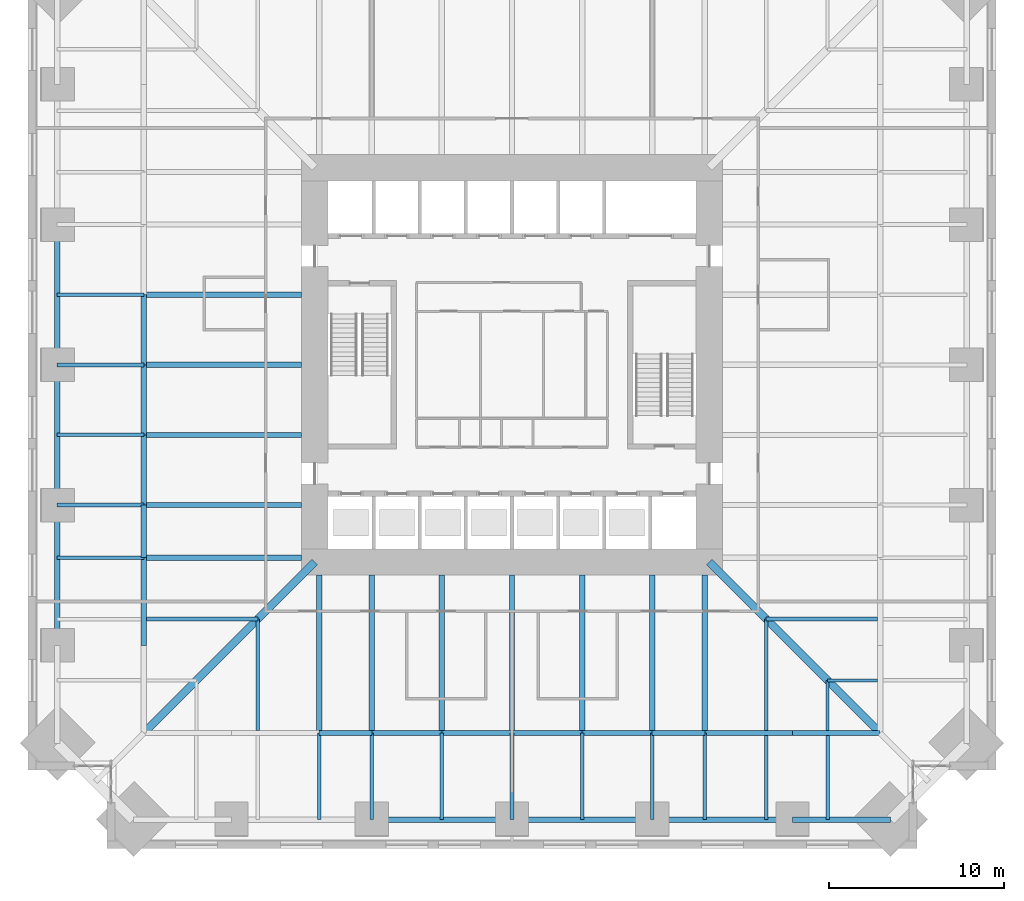
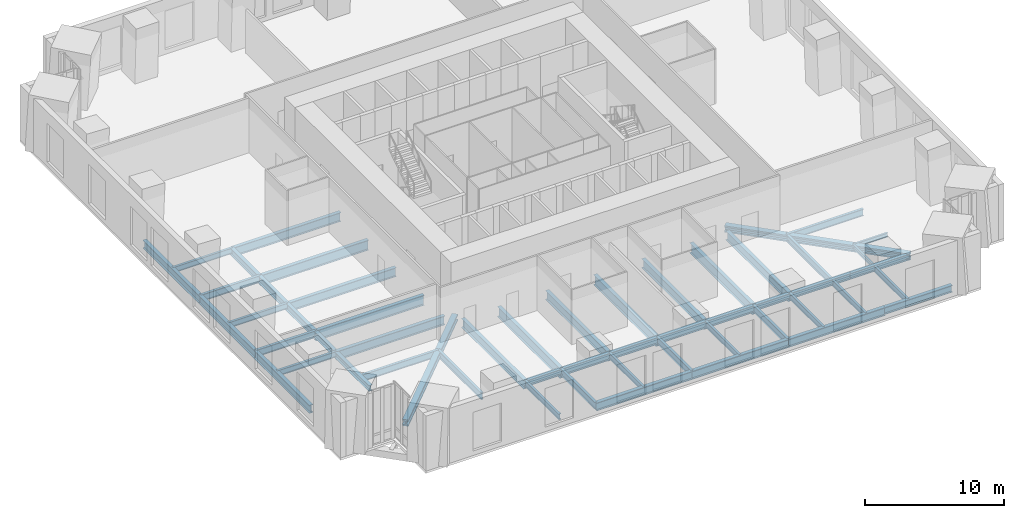
# One storey, part 3 of 18: 54 beams.
"""IFC4 building model written with IfcOpenShell, lengths in metres."""

from ifc_helpers import new_model, si_unit, direction, frame, origin, origin_2d, place, context, subcontext, project, spatial, i_section, extrude, material, material_profile, profile_set, type_object, element, save


model = new_model("IFC4")

# Units and contexts
model_context = context("Model", 3, precision=1e-05, world=origin(), true_north=direction((0.0, 1.0)))
body_context = subcontext(model_context, "Body", "Model", "MODEL_VIEW")
ifc_project = project(units=[si_unit("LENGTHUNIT", "METRE"), si_unit("AREAUNIT", "SQUARE_METRE"), si_unit("VOLUMEUNIT", "CUBIC_METRE"), si_unit("PLANEANGLEUNIT", "RADIAN"), si_unit("MASSUNIT", "GRAM", prefix="KILO")], contexts=[model_context])

# Site, building, storey
site_placement = place(None, origin())
site = spatial("IfcSite", under=ifc_project, at=site_placement, CompositionType="ELEMENT")
building_placement = place(site_placement, origin())
building = spatial("IfcBuilding", under=site, at=building_placement, Name="Peilmerk Tower", CompositionType="ELEMENT")
storey_placement = place(building_placement, frame((0.0, 0.0, 122.800048828125)))
storey = spatial("IfcBuildingStorey", under=building, at=storey_placement, Name="L24", CompositionType="ELEMENT", Elevation=122.800048828125)

# Beams
ifc_material_1 = material(Name="Steel S355", Category="steel")
ifc_material_profile_1 = material_profile(ifc_material_1, i_section(OverallWidth=0.219970703125, OverallDepth=0.60009765625, WebThickness=0.011962890625, FlangeThickness=0.01904296875, at=origin_2d()), Name="IPE 600")
ifc_profile_set_1 = profile_set([ifc_material_profile_1], Name="Steel S355")
beam_type_1 = type_object("IfcBeamType", Name="B10 IPE 600 floor beam", PredefinedType="BEAM", material=ifc_profile_set_1)
for number, where, z_axis, x_axis, name in (
    (1, (-8.0, -21.0, -0.5), (0.0, -1.0, 0.0), (1.0, 0.0, 0.0), "Floor girder L24"),
    (2, (0.0, -21.0, -0.5), (0.0, -1.0, 0.0), (1.0, 0.0, 0.0), "Floor girder L24"),
    (3, (8.0, -21.0, -0.5), (0.0, -1.0, 0.0), (1.0, 0.0, 0.0), "Floor girder L24"),
    (4, (-21.0, 0.0, -0.5), (-1.0, 0.0, 0.0), (0.0, -1.0, 0.0), "Floor girder L24"),
    (5, (-21.0, -8.0, -0.5), (-1.0, 0.0, 0.0), (0.0, -1.0, 0.0), "Floor girder L24"),
):
    element("IfcBeam", number, at=place(storey_placement, frame(where, z_axis=z_axis, x_axis=x_axis)), inside=storey, type_object=beam_type_1, Name=name, PredefinedType="BEAM", context=body_context, shape_type="SweptSolid", body=[
        extrude(i_section(OverallWidth=0.219970703125, OverallDepth=0.60009765625, WebThickness=0.011962890625, FlangeThickness=0.01904296875, at=origin_2d()), origin(), (0.0, 0.0, 1.0), 4.945068359375),
    ])
for number, where, z_axis, x_axis, name in (
    (6, (14.5, -14.5, -0.5), (0.0, -1.0, 0.0), (1.0, 0.0, 0.0), "Floor beam L24"),
    (7, (14.5, -14.5, -0.5), (1.0, 0.0, 0.0), (0.0, 1.0, 0.0), "Floor beam L24"),
    (8, (-14.5, -14.5, -0.5), (0.0, -1.0, 0.0), (1.0, 0.0, 0.0), "Floor beam L24"),
    (9, (-14.5, -14.5, -0.5), (-1.0, 0.0, 0.0), (0.0, -1.0, 0.0), "Floor beam L24"),
):
    element("IfcBeam", number, at=place(storey_placement, frame(where, z_axis=z_axis, x_axis=x_axis)), inside=storey, type_object=beam_type_1, Name=name, PredefinedType="BEAM", context=body_context, shape_type="SweptSolid", body=[
        extrude(i_section(OverallWidth=0.219970703125, OverallDepth=0.60009765625, WebThickness=0.011962890625, FlangeThickness=0.01904296875, at=origin_2d()), origin(), (0.0, 0.0, 1.0), 6.346923828125),
    ])
ifc_material_profile_2 = material_profile(ifc_material_1, i_section(OverallWidth=0.169921875, OverallDepth=0.360107421875, WebThickness=0.008056640625, FlangeThickness=0.0126953125, at=origin_2d()), Name="IPE 360")
ifc_profile_set_2 = profile_set([ifc_material_profile_2], Name="Steel S355")
beam_type_2 = type_object("IfcBeamType", Name="B11 IPE 360 floor beam", PredefinedType="BEAM", material=ifc_profile_set_2)
for number, where, z_axis, x_axis, name in (
    (10, (18.0, -18.0, -0.380126953125), (0.0, -1.0, 0.0), (1.0, 0.0, 0.0), "Floor beam L24"),
    (11, (18.0, -18.0, -0.380126953125), (1.0, 0.0, 0.0), (0.0, 1.0, 0.0), "Floor beam L24"),
):
    element("IfcBeam", number, at=place(storey_placement, frame(where, z_axis=z_axis, x_axis=x_axis)), inside=storey, type_object=beam_type_2, Name=name, PredefinedType="BEAM", context=body_context, shape_type="SweptSolid", body=[
        extrude(i_section(OverallWidth=0.169921875, OverallDepth=0.360107421875, WebThickness=0.008056640625, FlangeThickness=0.0126953125, at=origin_2d()), origin(), (0.0, 0.0, 1.0), 2.846923828125),
    ])
ifc_material_profile_3 = material_profile(ifc_material_1, i_section(OverallWidth=0.300048828125, OverallDepth=0.7900390625, WebThickness=0.014892578125, FlangeThickness=0.028076171875, at=origin_2d()), Name="HEA 800")
ifc_profile_set_3 = profile_set([ifc_material_profile_3], Name="Steel S355")
beam_type_3 = type_object("IfcBeamType", Name="B3 HEA 800 floor beam", PredefinedType="BEAM", material=ifc_profile_set_3)
for number, where, z_axis, x_axis, name in (
    (12, (-11.0, -12.0, -0.594970703125), (0.0, -1.0, 0.0), (1.0, 0.0, 0.0), "Floor beam L24"),
    (13, (-4.0, -12.0, -0.594970703125), (0.0, -1.0, 0.0), (1.0, 0.0, 0.0), "Floor beam L24"),
    (14, (4.0, -12.0, -0.594970703125), (0.0, -1.0, 0.0), (1.0, 0.0, 0.0), "Floor beam L24"),
    (15, (11.0, -12.0, -0.594970703125), (0.0, -1.0, 0.0), (1.0, 0.0, 0.0), "Floor beam L24"),
    (16, (-12.0, 4.0, -0.594970703125), (-1.0, 0.0, 0.0), (0.0, -1.0, 0.0), "Floor beam L24"),
    (17, (-12.0, -4.0, -0.594970703125), (-1.0, 0.0, 0.0), (0.0, -1.0, 0.0), "Floor beam L24"),
    (18, (-12.0, -11.0, -0.594970703125), (-1.0, 0.0, 0.0), (0.0, -1.0, 0.0), "Floor beam L24"),
):
    element("IfcBeam", number, at=place(storey_placement, frame(where, z_axis=z_axis, x_axis=x_axis)), inside=storey, type_object=beam_type_3, Name=name, PredefinedType="BEAM", context=body_context, shape_type="SweptSolid", body=[
        extrude(i_section(OverallWidth=0.300048828125, OverallDepth=0.7900390625, WebThickness=0.014892578125, FlangeThickness=0.028076171875, at=origin_2d()), origin(), (0.0, 0.0, 1.0), 9.0),
    ])
ifc_material_profile_4 = material_profile(ifc_material_1, i_section(OverallWidth=0.303955078125, OverallDepth=0.716064453125, WebThickness=0.02099609375, FlangeThickness=0.0400390625, at=origin_2d()), Name="HEM 700")
ifc_profile_set_4 = profile_set([ifc_material_profile_4], Name="Steel S355")
beam_type_4 = type_object("IfcBeamType", Name="B30 HEM 700 edge beam", PredefinedType="SPANDREL", material=ifc_profile_set_4)
for number, where, z_axis, x_axis, name in (
    (19, (-8.0, -25.945068359375, -0.55810546875), (1.0, 0.0, 0.0), (0.0, 1.0, 0.0), "Edge beam L24"),
    (20, (0.0, -25.945068359375, -0.55810546875), (1.0, 0.0, 0.0), (0.0, 1.0, 0.0), "Edge beam L24"),
    (21, (8.0, -25.945068359375, -0.55810546875), (1.0, 0.0, 0.0), (0.0, 1.0, 0.0), "Edge beam L24"),
    (22, (-25.945068359375, 8.0, -0.55810546875), (0.0, -1.0, 0.0), (1.0, 0.0, 0.0), "Edge beam L24"),
    (23, (-25.945068359375, 0.0, -0.55810546875), (0.0, -1.0, 0.0), (1.0, 0.0, 0.0), "Edge beam L24"),
    (24, (-25.945068359375, -8.0, -0.55810546875), (0.0, -1.0, 0.0), (1.0, 0.0, 0.0), "Edge beam L24"),
):
    element("IfcBeam", number, at=place(storey_placement, frame(where, z_axis=z_axis, x_axis=x_axis)), inside=storey, type_object=beam_type_4, Name=name, PredefinedType="SPANDREL", context=body_context, shape_type="SweptSolid", body=[
        extrude(i_section(OverallWidth=0.303955078125, OverallDepth=0.716064453125, WebThickness=0.02099609375, FlangeThickness=0.0400390625, at=origin_2d()), origin(), (0.0, 0.0, 1.0), 8.0),
    ])
ifc_material_profile_5 = material_profile(ifc_material_1, i_section(OverallWidth=0.304931640625, OverallDepth=0.6201171875, WebThickness=0.02099609375, FlangeThickness=0.0400390625, at=origin_2d()), Name="HEM 600")
ifc_profile_set_5 = profile_set([ifc_material_profile_5], Name="Steel S355")
beam_type_5 = type_object("IfcBeamType", Name="B31 HEM 600 edge beam", PredefinedType="SPANDREL", material=ifc_profile_set_5)
beam_1_placement = place(storey_placement, frame((16.0, -25.945068359375, -0.510009765625), z_axis=(1.0, 0.0, 0.0), x_axis=(0.0, 1.0, 0.0)))
element("IfcBeam", 25, at=beam_1_placement, inside=storey, type_object=beam_type_5, Name="Edge beam L24", PredefinedType="SPANDREL", context=body_context, shape_type="SweptSolid", body=[
    extrude(i_section(OverallWidth=0.304931640625, OverallDepth=0.6201171875, WebThickness=0.02099609375, FlangeThickness=0.0400390625, at=origin_2d()), origin(), (0.0, 0.0, 1.0), 5.59521484375),
])
ifc_material_profile_6 = material_profile(ifc_material_1, i_section(OverallWidth=0.199951171875, OverallDepth=0.5, WebThickness=0.01025390625, FlangeThickness=0.01611328125, at=origin_2d()), Name="IPE 500")
ifc_profile_set_6 = profile_set([ifc_material_profile_6], Name="Steel S355")
beam_type_6 = type_object("IfcBeamType", Name="B32 IPE 500 floor beam", PredefinedType="BEAM", material=ifc_profile_set_6)
for number, where, z_axis, x_axis, name in (
    (26, (-11.0, -21.0, -0.449951171875), (0.0, -1.0, 0.0), (1.0, 0.0, 0.0), "Floor beam L24"),
    (27, (-4.0, -21.0, -0.449951171875), (0.0, -1.0, 0.0), (1.0, 0.0, 0.0), "Floor beam L24"),
    (28, (4.0, -21.0, -0.449951171875), (0.0, -1.0, 0.0), (1.0, 0.0, 0.0), "Floor beam L24"),
    (29, (11.0, -21.0, -0.449951171875), (0.0, -1.0, 0.0), (1.0, 0.0, 0.0), "Floor beam L24"),
    (30, (-21.0, 4.0, -0.449951171875), (-1.0, 0.0, 0.0), (0.0, -1.0, 0.0), "Floor beam L24"),
    (31, (-21.0, -4.0, -0.449951171875), (-1.0, 0.0, 0.0), (0.0, -1.0, 0.0), "Floor beam L24"),
    (32, (-21.0, -11.0, -0.449951171875), (-1.0, 0.0, 0.0), (0.0, -1.0, 0.0), "Floor beam L24"),
):
    element("IfcBeam", number, at=place(storey_placement, frame(where, z_axis=z_axis, x_axis=x_axis)), inside=storey, type_object=beam_type_6, Name=name, PredefinedType="BEAM", context=body_context, shape_type="SweptSolid", body=[
        extrude(i_section(OverallWidth=0.199951171875, OverallDepth=0.5, WebThickness=0.01025390625, FlangeThickness=0.01611328125, at=origin_2d()), origin(), (0.0, 0.0, 1.0), 4.945068359375),
    ])
for number, where, z_axis, x_axis, name in (
    (33, (14.5, -21.153076171875, -0.449951171875), (0.0, -1.0, 0.0), (1.0, 0.0, 0.0), "Floor beam L24"),
    (34, (18.0, -21.153076171875, -0.449951171875), (0.0, -1.0, 0.0), (1.0, 0.0, 0.0), "Floor beam L24"),
):
    element("IfcBeam", number, at=place(storey_placement, frame(where, z_axis=z_axis, x_axis=x_axis)), inside=storey, type_object=beam_type_6, Name=name, PredefinedType="BEAM", context=body_context, shape_type="SweptSolid", body=[
        extrude(i_section(OverallWidth=0.199951171875, OverallDepth=0.5, WebThickness=0.01025390625, FlangeThickness=0.01611328125, at=origin_2d()), origin(), (0.0, 0.0, 1.0), 4.7919921875),
    ])
ifc_material_profile_7 = material_profile(ifc_material_1, i_section(OverallWidth=0.300048828125, OverallDepth=0.889892578125, WebThickness=0.01611328125, FlangeThickness=0.030029296875, at=origin_2d()), Name="HEA 900")
ifc_profile_set_7 = profile_set([ifc_material_profile_7], Name="Steel S355")
beam_type_7 = type_object("IfcBeamType", Name="B4 HEA 900 floor beam", PredefinedType="BEAM", material=ifc_profile_set_7)
for number, where, z_axis, x_axis, name in (
    (35, (-8.0, -12.0, -0.64501953125), (0.0, -1.0, 0.0), (1.0, 0.0, 0.0), "Floor girder L24"),
    (36, (0.0, -12.0, -0.64501953125), (0.0, -1.0, 0.0), (1.0, 0.0, 0.0), "Floor girder L24"),
    (37, (8.0, -12.0, -0.64501953125), (0.0, -1.0, 0.0), (1.0, 0.0, 0.0), "Floor girder L24"),
    (38, (-12.0, 0.0, -0.64501953125), (-1.0, 0.0, 0.0), (0.0, -1.0, 0.0), "Floor girder L24"),
    (39, (-12.0, -8.0, -0.64501953125), (-1.0, 0.0, 0.0), (0.0, -1.0, 0.0), "Floor girder L24"),
):
    element("IfcBeam", number, at=place(storey_placement, frame(where, z_axis=z_axis, x_axis=x_axis)), inside=storey, type_object=beam_type_7, Name=name, PredefinedType="BEAM", context=body_context, shape_type="SweptSolid", body=[
        extrude(i_section(OverallWidth=0.300048828125, OverallDepth=0.889892578125, WebThickness=0.01611328125, FlangeThickness=0.030029296875, at=origin_2d()), origin(), (0.0, 0.0, 1.0), 9.0),
    ])
ifc_material_profile_8 = material_profile(ifc_material_1, i_section(OverallWidth=0.304931640625, OverallDepth=0.6201171875, WebThickness=0.02099609375, FlangeThickness=0.0400390625, at=origin_2d()), Name="HEM 600")
ifc_profile_set_8 = profile_set([ifc_material_profile_8], Name="Steel S355")
beam_type_8 = type_object("IfcBeamType", Name="B6 HEM 600 ring girder", PredefinedType="BEAM", material=ifc_profile_set_8)
for number, where, z_axis, x_axis, name in (
    (40, (-8.0, -21.0, -0.510009765625), (1.0, 0.0, 0.0), (0.0, 1.0, 0.0), "Ring girder L24"),
    (41, (-4.0, -21.0, -0.510009765625), (1.0, 0.0, 0.0), (0.0, 1.0, 0.0), "Ring girder L24"),
    (42, (0.0, -21.0, -0.510009765625), (1.0, 0.0, 0.0), (0.0, 1.0, 0.0), "Ring girder L24"),
    (43, (4.0, -21.0, -0.510009765625), (1.0, 0.0, 0.0), (0.0, 1.0, 0.0), "Ring girder L24"),
    (44, (-21.0, 4.0, -0.510009765625), (0.0, -1.0, 0.0), (1.0, 0.0, 0.0), "Ring girder L24"),
    (45, (-21.0, 0.0, -0.510009765625), (0.0, -1.0, 0.0), (1.0, 0.0, 0.0), "Ring girder L24"),
    (46, (-21.0, -4.0, -0.510009765625), (0.0, -1.0, 0.0), (1.0, 0.0, 0.0), "Ring girder L24"),
):
    element("IfcBeam", number, at=place(storey_placement, frame(where, z_axis=z_axis, x_axis=x_axis)), inside=storey, type_object=beam_type_8, Name=name, PredefinedType="BEAM", context=body_context, shape_type="SweptSolid", body=[
        extrude(i_section(OverallWidth=0.304931640625, OverallDepth=0.6201171875, WebThickness=0.02099609375, FlangeThickness=0.0400390625, at=origin_2d()), origin(), (0.0, 0.0, 1.0), 4.0),
    ])
ifc_material_profile_9 = material_profile(ifc_material_1, i_section(OverallWidth=0.305908203125, OverallDepth=0.52392578125, WebThickness=0.02099609375, FlangeThickness=0.0400390625, at=origin_2d()), Name="HEM 500")
ifc_profile_set_9 = profile_set([ifc_material_profile_9], Name="Steel S355")
beam_type_9 = type_object("IfcBeamType", Name="B7 HEM 500 ring girder", PredefinedType="BEAM", material=ifc_profile_set_9)
for number, where, z_axis, x_axis, name in (
    (47, (-11.0, -21.0, -0.462158203125), (1.0, 0.0, 0.0), (0.0, 1.0, 0.0), "Ring girder L24"),
    (48, (8.0, -21.0, -0.462158203125), (1.0, 0.0, 0.0), (0.0, 1.0, 0.0), "Ring girder L24"),
):
    element("IfcBeam", number, at=place(storey_placement, frame(where, z_axis=z_axis, x_axis=x_axis)), inside=storey, type_object=beam_type_9, Name=name, PredefinedType="BEAM", context=body_context, shape_type="SweptSolid", body=[
        extrude(i_section(OverallWidth=0.305908203125, OverallDepth=0.52392578125, WebThickness=0.02099609375, FlangeThickness=0.0400390625, at=origin_2d()), origin(), (0.0, 0.0, 1.0), 3.0),
    ])
for number, where, z_axis, x_axis, name in (
    (49, (11.0, -21.0, -0.462158203125), (1.0, 0.0, 0.0), (0.0, 1.0, 0.0), "Ring girder L24"),
    (50, (16.0, -21.0, -0.462158203125), (1.0, 0.0, 0.0), (0.0, 1.0, 0.0), "Ring girder L24"),
):
    element("IfcBeam", number, at=place(storey_placement, frame(where, z_axis=z_axis, x_axis=x_axis)), inside=storey, type_object=beam_type_9, Name=name, PredefinedType="BEAM", context=body_context, shape_type="SweptSolid", body=[
        extrude(i_section(OverallWidth=0.305908203125, OverallDepth=0.52392578125, WebThickness=0.02099609375, FlangeThickness=0.0400390625, at=origin_2d()), origin(), (0.0, 0.0, 1.0), 5.0),
    ])
beam_2_placement = place(storey_placement, frame((-21.0, -8.0, -0.462158203125), z_axis=(0.0, -1.0, 0.0), x_axis=(1.0, 0.0, 0.0)))
element("IfcBeam", 51, at=beam_2_placement, inside=storey, type_object=beam_type_9, Name="Ring girder L24", PredefinedType="BEAM", context=body_context, shape_type="SweptSolid", body=[
    extrude(i_section(OverallWidth=0.305908203125, OverallDepth=0.52392578125, WebThickness=0.02099609375, FlangeThickness=0.0400390625, at=origin_2d()), origin(), (0.0, 0.0, 1.0), 3.0),
])
beam_3_placement = place(storey_placement, frame((-21.0, -11.0, -0.462158203125), z_axis=(0.0, -1.0, 0.0), x_axis=(1.0, 0.0, 0.0)))
element("IfcBeam", 52, at=beam_3_placement, inside=storey, type_object=beam_type_9, Name="Ring girder L24", PredefinedType="BEAM", context=body_context, shape_type="SweptSolid", body=[
    extrude(i_section(OverallWidth=0.305908203125, OverallDepth=0.52392578125, WebThickness=0.02099609375, FlangeThickness=0.0400390625, at=origin_2d()), origin(), (0.0, 0.0, 1.0), 5.0),
])
ifc_material_2 = material(Name="Steel S460", Category="steel")
ifc_material_profile_10 = material_profile(ifc_material_2, i_section(OverallWidth=0.4541015625, OverallDepth=0.569091796875, WebThickness=0.077880859375, FlangeThickness=0.125, at=origin_2d()), Name="HD 400x1086")
ifc_profile_set_10 = profile_set([ifc_material_profile_10], Name="Steel S460")
beam_type_10 = type_object("IfcBeamType", Name="B9 HD 400x1086 corner girder", PredefinedType="BEAM", material=ifc_profile_set_10)
for number, where, z_axis, x_axis, name in (
    (53, (11.25, -11.25, -0.484619140625), (0.707106781187, -0.707106781187, 0.0), (0.707106781187, 0.707106781187, 0.0), "Corner girder L24"),
    (54, (-11.25, -11.25, -0.484619140625), (-0.707106781187, -0.707106781187, 0.0), (0.707106781187, -0.707106781187, 0.0), "Corner girder L24"),
):
    element("IfcBeam", number, at=place(storey_placement, frame(where, z_axis=z_axis, x_axis=x_axis)), inside=storey, type_object=beam_type_10, Name=name, PredefinedType="BEAM", context=body_context, shape_type="SweptSolid", body=[
        extrude(i_section(OverallWidth=0.4541015625, OverallDepth=0.569091796875, WebThickness=0.077880859375, FlangeThickness=0.125, at=origin_2d()), origin(), (0.0, 0.0, 1.0), 13.78857421875),
    ])

save(model, "model.ifc")
